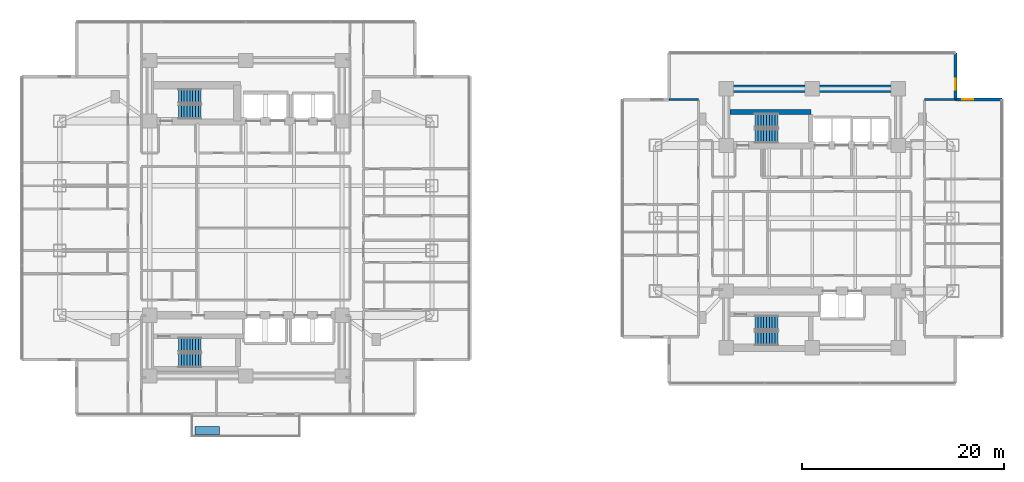
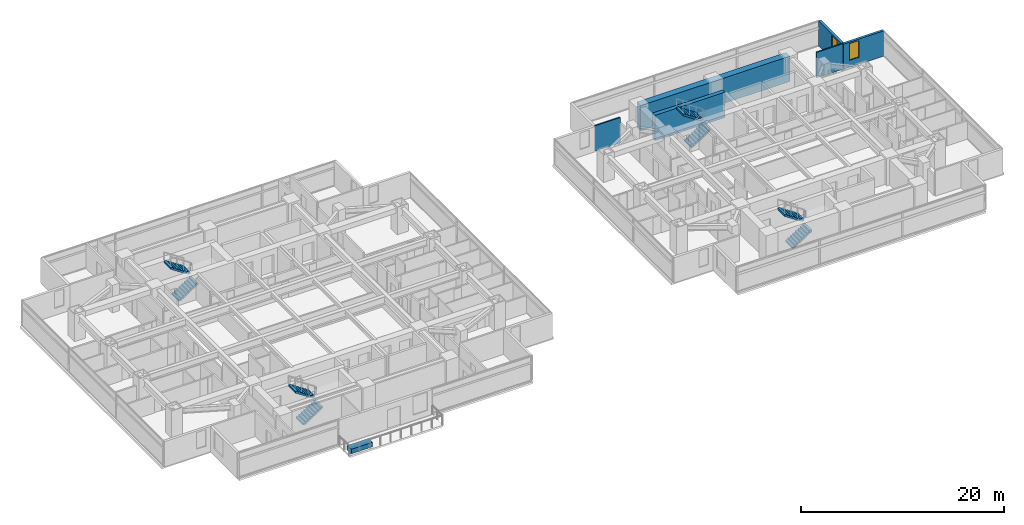
# One storey, part 19 of 25: 8 stair flights, 6 walls, 2 windows, 1 discrete accessory, 2 openings, 4 elements without a shape of their own.
"""IFC4 building model written with IfcOpenShell, lengths in metres."""

from ifc_helpers import new_model, si_unit, direction, frame, frame_2d, origin, origin_2d, place, context, subcontext, project, spatial, polyline, rectangle, outline, extrude, material, layer, layer_set, type_object, element, fill, aggregate, save


model = new_model("IFC4")

# Units and contexts
model_context = context("Model", 3, precision=1e-05, world=origin(), true_north=direction((0.0, 1.0)))
body_context = subcontext(model_context, "Body", "Model", "MODEL_VIEW")
ifc_project = project(units=[si_unit("LENGTHUNIT", "METRE"), si_unit("AREAUNIT", "SQUARE_METRE"), si_unit("VOLUMEUNIT", "CUBIC_METRE"), si_unit("PLANEANGLEUNIT", "RADIAN"), si_unit("MASSUNIT", "GRAM", prefix="KILO")], contexts=[model_context])

# Site, building, storey
site_placement = place(None, origin())
site = spatial("IfcSite", under=ifc_project, at=site_placement, CompositionType="ELEMENT")
building_placement = place(site_placement, origin())
building = spatial("IfcBuilding", under=site, at=building_placement, Name="Mirazonda Arch Towers", CompositionType="ELEMENT")
storey_placement = place(building_placement, frame((0.0, 0.0, 35.60009765625)))
storey = spatial("IfcBuildingStorey", under=building, at=storey_placement, Name="L09", CompositionType="ELEMENT", Elevation=35.60009765625)

# Walls
ifc_material_1 = material(Name="Concrete C50/60", Category="concrete")
ifc_layer_1 = layer(ifc_material_1, 0.449951171875, Name="WALL-CORE-450")
ifc_layer_set_1 = layer_set([ifc_layer_1], Name="Concrete C50/60")
wall_type_1 = type_object("IfcWallType", Name="WALL-CORE-450", PredefinedType="SHEAR", material=ifc_layer_set_1)
wall_1_placement = place(storey_placement, frame((68.3701171875, 38.5, 0.0), z_axis=(0.0, 0.0, 1.0), x_axis=(1.0, 0.0, 0.0)))
element("IfcWall", 1, at=wall_1_placement, inside=storey, type_object=wall_type_1, Name="L09 Stair Core Shear Wall 056", PredefinedType="SHEAR", context=body_context, shape_type="SweptSolid", body=[
    extrude(rectangle(XDim=7.989990234375, YDim=0.449951171875, at=frame_2d((3.9951171875, 0.0))), origin(), (0.0, 0.0, 1.0), 3.059814453125),
])
ifc_material_2 = material(Name="Concrete C60/75", Category="concrete")
ifc_layer_2 = layer(ifc_material_2, 0.75, Name="WALL-CORE-750")
ifc_layer_set_2 = layer_set([ifc_layer_2], Name="Concrete C60/75")
wall_type_2 = type_object("IfcWallType", Name="WALL-CORE-750", PredefinedType="SHEAR", material=ifc_layer_set_2)
wall_2_placement = place(storey_placement, frame((68.0, 40.800048828125, 0.0), z_axis=(0.0, 0.0, 1.0), x_axis=(1.0, 0.0, 0.0)))
element("IfcWall", 2, at=wall_2_placement, inside=storey, type_object=wall_type_2, Name="L09 T2N-N Core Shear Wall", PredefinedType="SHEAR", context=body_context, shape_type="SweptSolid", body=[
    extrude(rectangle(XDim=17.0, YDim=0.75, at=frame_2d((8.5, 0.0))), origin(), (0.0, 0.0, 1.0), 3.059814453125),
])

# Wall, opening, window
ifc_material_3 = material(Name="Precast Concrete C40/50", Category="concrete")
ifc_layer_3 = layer(ifc_material_3, 0.280029296875, Name="WALL-EXT-WALL-280")
ifc_layer_set_3 = layer_set([ifc_layer_3], Name="Precast Concrete C40/50")
wall_type_3 = type_object("IfcWallType", Name="WALL-EXT-WALL-280", PredefinedType="SOLIDWALL", material=ifc_layer_set_3)
wall_3_placement = place(storey_placement, frame((90.652099609375, 39.733154296875, 0.0), z_axis=(0.0, 0.0, 1.0), x_axis=(0.0, 1.0, 0.0)))
wall_3 = element("IfcWall", 3, at=wall_3_placement, inside=storey, type_object=wall_type_3, Name="L09 T2 Notched NE Corner Wall WL-L09-T2-CNE", PredefinedType="SOLIDWALL", context=body_context, shape_type="SweptSolid", body=[
    extrude(rectangle(XDim=4.580078125, YDim=0.280029296875, at=frame_2d((2.2900390625, 0.0))), origin(), (0.0, 0.0, 1.0), 3.039794921875),
])
opening_1_placement = place(wall_3_placement, frame((0.949951171875, 0.0, 0.85009765625)))
opening_1 = element("IfcOpeningElement", 4, at=opening_1_placement, cuts=wall_3, Name="Opening WN-108", PredefinedType="OPENING", context=body_context, shape_type="SweptSolid", body=[
    extrude(rectangle(XDim=1.10009765625, YDim=2.0, at=frame_2d((0.550048828125, 1.0))), frame((0.0, 0.14990234375, 0.0), z_axis=(0.0, -1.0, 0.0), x_axis=(1.0, 0.0, 0.0)), (0.0, 0.0, 1.0), 0.300048828125),
])
ifc_material_4 = material(Name="Insulated Low-E Solar Glass", Category="glass")
window_type = type_object("IfcWindowType", Name="WIN-NOTCH-1100x2000", PartitioningType="SINGLE_PANEL", PredefinedType="WINDOW", material=ifc_material_4)
window_1_placement = place(opening_1_placement, origin())
window_1 = element("IfcWindow", 5, at=window_1_placement, inside=storey, type_object=window_type, Name="L09 Punched Facade Window WN-L09-T2-CNE", OverallHeight=2.0, OverallWidth=1.10009765625, PartitioningType="SINGLE_PANEL", PredefinedType="WINDOW", context=body_context, shape_type="SweptSolid", body=[
    extrude(rectangle(XDim=1.10009765625, YDim=2.0, at=frame_2d((0.550048828125, 1.0))), frame((0.0, 0.030029296875, 0.0), z_axis=(0.0, -1.0, 0.0), x_axis=(1.0, 0.0, 0.0)), (0.0, 0.0, 1.0), 0.06005859375),
])
fill(opening_1, window_1)

wall_4_placement = place(storey_placement, frame((95.23193359375, 39.733154296875, 0.0), z_axis=(0.0, 0.0, 1.0), x_axis=(-1.0, 0.0, 0.0)))
wall_4 = element("IfcWall", 6, at=wall_4_placement, inside=storey, type_object=wall_type_3, Name="L09 T2 Corner Notch Return Wall WL-L09-T2-CNE2", PredefinedType="SOLIDWALL", context=body_context, shape_type="SweptSolid", body=[
    extrude(rectangle(XDim=4.579833984375, YDim=0.280029296875, at=frame_2d((2.2900390625, 0.0))), origin(), (0.0, 0.0, 1.0), 3.039794921875),
])
opening_2_placement = place(wall_4_placement, frame((2.830078125, 0.0, 0.85009765625)))
opening_2 = element("IfcOpeningElement", 7, at=opening_2_placement, cuts=wall_4, Name="Opening WN-108", PredefinedType="OPENING", context=body_context, shape_type="SweptSolid", body=[
    extrude(rectangle(XDim=1.10009765625, YDim=2.0, at=frame_2d((0.550048828125, 1.0))), frame((0.0, 0.14990234375, 0.0), z_axis=(0.0, -1.0, 0.0), x_axis=(1.0, 0.0, 0.0)), (0.0, 0.0, 1.0), 0.300048828125),
])
window_2_placement = place(opening_2_placement, origin())
window_2 = element("IfcWindow", 8, at=window_2_placement, inside=storey, type_object=window_type, Name="L09 Punched Facade Window WN-L09-T2-CNE2", OverallHeight=2.0, OverallWidth=1.10009765625, PartitioningType="SINGLE_PANEL", PredefinedType="WINDOW", context=body_context, shape_type="SweptSolid", body=[
    extrude(rectangle(XDim=1.10009765625, YDim=2.0, at=frame_2d((0.550048828125, 1.0))), frame((0.0, 0.030029296875, 0.0), z_axis=(0.0, -1.0, 0.0), x_axis=(1.0, 0.0, 0.0)), (0.0, 0.0, 1.0), 0.06005859375),
])
fill(opening_2, window_2)

# Walls
ifc_material_5 = material(Name="Fire-Rated Gypsum Stud Partition")
ifc_layer_4 = layer(ifc_material_5, 0.14990234375, Name="WALL-PART-CORR-150")
ifc_layer_set_4 = layer_set([ifc_layer_4], Name="Fire-Rated Gypsum Stud Partition")
wall_type_4 = type_object("IfcWallType", Name="WALL-PART-CORR-150", PredefinedType="PARTITIONING", material=ifc_layer_set_4)
wall_5_placement = place(storey_placement, frame((62.367919921875, 39.73291015625, 0.0), z_axis=(0.0, 0.0, 1.0), x_axis=(1.0, 0.0, 0.0)))
element("IfcWall", 9, at=wall_5_placement, inside=storey, type_object=wall_type_4, Name="L09 Interior Partition 057", PredefinedType="PARTITIONING", context=body_context, shape_type="SweptSolid", body=[
    extrude(rectangle(XDim=2.882080078125, YDim=0.14990234375, at=frame_2d((1.44091796875, 0.0))), origin(), (0.0, 0.0, 1.0), 3.059814453125),
])
wall_6_placement = place(storey_placement, frame((87.60009765625, 39.73291015625, 0.0), z_axis=(0.0, 0.0, 1.0), x_axis=(1.0, 0.0, 0.0)))
element("IfcWall", 10, at=wall_6_placement, inside=storey, type_object=wall_type_4, Name="L09 Interior Partition 058", PredefinedType="PARTITIONING", context=body_context, shape_type="SweptSolid", body=[
    extrude(rectangle(XDim=3.031982421875, YDim=0.14990234375, at=frame_2d((1.51611328125, 0.0))), origin(), (0.0, 0.0, 1.0), 3.059814453125),
])

# Stair, stair flights
ifc_material_6 = material(Name="Concrete C40/50", Category="concrete")
stair_type = type_object("IfcStairType", Name="STAIR-CORE-1400", PredefinedType="HALF_TURN_STAIR", material=ifc_material_6)
stair_1_placement = place(storey_placement, origin())
stair_1 = element("IfcStair", 11, at=stair_1_placement, inside=storey, type_object=stair_type, Name="L09 Protected Exit Stair ST-T1N", PredefinedType="HALF_TURN_STAIR")
stair_flight_type = type_object("IfcStairFlightType", Name="FLIGHT-1400", PredefinedType="STRAIGHT", material=ifc_material_6)
stair_flight_1_placement = place(storey_placement, frame((13.85009765625, 38.52001953125, 0.0), z_axis=(0.0, 0.0, 1.0), x_axis=(1.0, 0.0, 0.0)))
stair_flight_1 = element("IfcStairFlight", 12, at=stair_flight_1_placement, type_object=stair_flight_type, Name="ST-T1N flight 1", NumberOfRisers=9, NumberOfTreads=8, PredefinedType="STRAIGHT", RiserHeight=0.183333333, TreadLength=0.28, context=body_context, shape_type="SweptSolid", body=[
    extrude(outline(polyline([(0.0, 0.0), (0.0, 0.183349609375), (0.280029296875, 0.183349609375), (0.280029296875, 0.36669921875), (0.56005859375, 0.36669921875), (0.56005859375, 0.550048828125), (0.840087890625, 0.550048828125), (0.840087890625, 0.7333984375), (1.1201171875, 0.7333984375), (1.1201171875, 0.916748046875), (1.39990234375, 0.916748046875), (1.39990234375, 1.10009765625), (1.679931640625, 1.10009765625), (1.679931640625, 1.283447265625), (1.9599609375, 1.283447265625), (1.9599609375, 1.466552734375), (2.239990234375, 1.466552734375), (2.239990234375, 1.64990234375), (2.239990234375, 1.275634765625), (0.2919921875, 0.0), (0.0, 0.0)])), frame((0.0, 0.699951171875, 0.0), z_axis=(0.0, -1.0, 0.0), x_axis=(1.0, 0.0, 0.0)), (0.0, 0.0, 1.0), 1.39990234375),
])
stair_flight_2_placement = place(storey_placement, frame((16.090087890625, 40.06005859375, 1.64990234375), z_axis=(0.0, 0.0, 1.0), x_axis=(-1.0, 0.0, 0.0)))
stair_flight_2 = element("IfcStairFlight", 13, at=stair_flight_2_placement, type_object=stair_flight_type, Name="ST-T1N flight 2", NumberOfRisers=9, NumberOfTreads=8, PredefinedType="STRAIGHT", RiserHeight=0.183333333, TreadLength=0.28, context=body_context, shape_type="SweptSolid", body=[
    extrude(outline(polyline([(0.0, 0.0), (0.0, 0.183349609375), (0.280029296875, 0.183349609375), (0.280029296875, 0.36669921875), (0.56005859375, 0.36669921875), (0.56005859375, 0.550048828125), (0.840087890625, 0.550048828125), (0.840087890625, 0.7333984375), (1.1201171875, 0.7333984375), (1.1201171875, 0.916748046875), (1.39990234375, 0.916748046875), (1.39990234375, 1.10009765625), (1.679931640625, 1.10009765625), (1.679931640625, 1.283447265625), (1.9599609375, 1.283447265625), (1.9599609375, 1.466552734375), (2.239990234375, 1.466552734375), (2.239990234375, 1.64990234375), (2.239990234375, 1.275634765625), (0.2919921875, 0.0), (0.0, 0.0)])), frame((0.0, 0.699951171875, 0.0), z_axis=(0.0, -1.0, 0.0), x_axis=(1.0, 0.0, 0.0)), (0.0, 0.0, 1.0), 1.39990234375),
])
aggregate(stair_1, [stair_flight_1, stair_flight_2])

stair_2_placement = place(storey_placement, origin())
stair_2 = element("IfcStair", 14, at=stair_2_placement, inside=storey, type_object=stair_type, Name="L09 Protected Exit Stair ST-T1S", PredefinedType="HALF_TURN_STAIR")
stair_flight_3_placement = place(storey_placement, frame((13.85009765625, 13.949951171875, 0.0), z_axis=(0.0, 0.0, 1.0), x_axis=(1.0, 0.0, 0.0)))
stair_flight_3 = element("IfcStairFlight", 15, at=stair_flight_3_placement, type_object=stair_flight_type, Name="ST-T1S flight 1", NumberOfRisers=9, NumberOfTreads=8, PredefinedType="STRAIGHT", RiserHeight=0.183333333, TreadLength=0.28, context=body_context, shape_type="SweptSolid", body=[
    extrude(outline(polyline([(0.0, 0.0), (0.0, 0.183349609375), (0.280029296875, 0.183349609375), (0.280029296875, 0.36669921875), (0.56005859375, 0.36669921875), (0.56005859375, 0.550048828125), (0.840087890625, 0.550048828125), (0.840087890625, 0.7333984375), (1.1201171875, 0.7333984375), (1.1201171875, 0.916748046875), (1.39990234375, 0.916748046875), (1.39990234375, 1.10009765625), (1.679931640625, 1.10009765625), (1.679931640625, 1.283447265625), (1.9599609375, 1.283447265625), (1.9599609375, 1.466552734375), (2.239990234375, 1.466552734375), (2.239990234375, 1.64990234375), (2.239990234375, 1.275634765625), (0.2919921875, 0.0), (0.0, 0.0)])), frame((0.0, 0.699951171875, 0.0), z_axis=(0.0, -1.0, 0.0), x_axis=(1.0, 0.0, 0.0)), (0.0, 0.0, 1.0), 1.39990234375),
])
stair_flight_4_placement = place(storey_placement, frame((16.090087890625, 15.489990234375, 1.64990234375), z_axis=(0.0, 0.0, 1.0), x_axis=(-1.0, 0.0, 0.0)))
stair_flight_4 = element("IfcStairFlight", 16, at=stair_flight_4_placement, type_object=stair_flight_type, Name="ST-T1S flight 2", NumberOfRisers=9, NumberOfTreads=8, PredefinedType="STRAIGHT", RiserHeight=0.183333333, TreadLength=0.28, context=body_context, shape_type="SweptSolid", body=[
    extrude(outline(polyline([(0.0, 0.0), (0.0, 0.183349609375), (0.280029296875, 0.183349609375), (0.280029296875, 0.36669921875), (0.56005859375, 0.36669921875), (0.56005859375, 0.550048828125), (0.840087890625, 0.550048828125), (0.840087890625, 0.7333984375), (1.1201171875, 0.7333984375), (1.1201171875, 0.916748046875), (1.39990234375, 0.916748046875), (1.39990234375, 1.10009765625), (1.679931640625, 1.10009765625), (1.679931640625, 1.283447265625), (1.9599609375, 1.283447265625), (1.9599609375, 1.466552734375), (2.239990234375, 1.466552734375), (2.239990234375, 1.64990234375), (2.239990234375, 1.275634765625), (0.2919921875, 0.0), (0.0, 0.0)])), frame((0.0, 0.699951171875, 0.0), z_axis=(0.0, -1.0, 0.0), x_axis=(1.0, 0.0, 0.0)), (0.0, 0.0, 1.0), 1.39990234375),
])
aggregate(stair_2, [stair_flight_3, stair_flight_4])

stair_3_placement = place(storey_placement, origin())
stair_3 = element("IfcStair", 17, at=stair_3_placement, inside=storey, type_object=stair_type, Name="L09 Protected Exit Stair ST-T2N", PredefinedType="HALF_TURN_STAIR")
stair_flight_5_placement = place(storey_placement, frame((70.85009765625, 36.1201171875, 0.0), z_axis=(0.0, 0.0, 1.0), x_axis=(1.0, 0.0, 0.0)))
stair_flight_5 = element("IfcStairFlight", 18, at=stair_flight_5_placement, type_object=stair_flight_type, Name="ST-T2N flight 1", NumberOfRisers=9, NumberOfTreads=8, PredefinedType="STRAIGHT", RiserHeight=0.183333333, TreadLength=0.28, context=body_context, shape_type="SweptSolid", body=[
    extrude(outline(polyline([(0.0, 0.0), (0.0, 0.183349609375), (0.280029296875, 0.183349609375), (0.280029296875, 0.36669921875), (0.56005859375, 0.36669921875), (0.56005859375, 0.550048828125), (0.840087890625, 0.550048828125), (0.840087890625, 0.7333984375), (1.1201171875, 0.7333984375), (1.1201171875, 0.916748046875), (1.39990234375, 0.916748046875), (1.39990234375, 1.10009765625), (1.679931640625, 1.10009765625), (1.679931640625, 1.283447265625), (1.9599609375, 1.283447265625), (1.9599609375, 1.466552734375), (2.239990234375, 1.466552734375), (2.239990234375, 1.64990234375), (2.239990234375, 1.275634765625), (0.2919921875, 0.0), (0.0, 0.0)])), frame((0.0, 0.699951171875, 0.0), z_axis=(0.0, -1.0, 0.0), x_axis=(1.0, 0.0, 0.0)), (0.0, 0.0, 1.0), 1.39990234375),
])
stair_flight_6_placement = place(storey_placement, frame((73.090087890625, 37.659912109375, 1.64990234375), z_axis=(0.0, 0.0, 1.0), x_axis=(-1.0, 0.0, 0.0)))
stair_flight_6 = element("IfcStairFlight", 19, at=stair_flight_6_placement, type_object=stair_flight_type, Name="ST-T2N flight 2", NumberOfRisers=9, NumberOfTreads=8, PredefinedType="STRAIGHT", RiserHeight=0.183333333, TreadLength=0.28, context=body_context, shape_type="SweptSolid", body=[
    extrude(outline(polyline([(0.0, 0.0), (0.0, 0.183349609375), (0.280029296875, 0.183349609375), (0.280029296875, 0.36669921875), (0.56005859375, 0.36669921875), (0.56005859375, 0.550048828125), (0.840087890625, 0.550048828125), (0.840087890625, 0.7333984375), (1.1201171875, 0.7333984375), (1.1201171875, 0.916748046875), (1.39990234375, 0.916748046875), (1.39990234375, 1.10009765625), (1.679931640625, 1.10009765625), (1.679931640625, 1.283447265625), (1.9599609375, 1.283447265625), (1.9599609375, 1.466552734375), (2.239990234375, 1.466552734375), (2.239990234375, 1.64990234375), (2.239990234375, 1.275634765625), (0.2919921875, 0.0), (0.0, 0.0)])), frame((0.0, 0.699951171875, 0.0), z_axis=(0.0, -1.0, 0.0), x_axis=(1.0, 0.0, 0.0)), (0.0, 0.0, 1.0), 1.39990234375),
])
aggregate(stair_3, [stair_flight_5, stair_flight_6])

stair_4_placement = place(storey_placement, origin())
stair_4 = element("IfcStair", 20, at=stair_4_placement, inside=storey, type_object=stair_type, Name="L09 Protected Exit Stair ST-T2S", PredefinedType="HALF_TURN_STAIR")
stair_flight_7_placement = place(storey_placement, frame((70.85009765625, 16.1201171875, 0.0), z_axis=(0.0, 0.0, 1.0), x_axis=(1.0, 0.0, 0.0)))
stair_flight_7 = element("IfcStairFlight", 21, at=stair_flight_7_placement, type_object=stair_flight_type, Name="ST-T2S flight 1", NumberOfRisers=9, NumberOfTreads=8, PredefinedType="STRAIGHT", RiserHeight=0.183333333, TreadLength=0.28, context=body_context, shape_type="SweptSolid", body=[
    extrude(outline(polyline([(0.0, 0.0), (0.0, 0.183349609375), (0.280029296875, 0.183349609375), (0.280029296875, 0.36669921875), (0.56005859375, 0.36669921875), (0.56005859375, 0.550048828125), (0.840087890625, 0.550048828125), (0.840087890625, 0.7333984375), (1.1201171875, 0.7333984375), (1.1201171875, 0.916748046875), (1.39990234375, 0.916748046875), (1.39990234375, 1.10009765625), (1.679931640625, 1.10009765625), (1.679931640625, 1.283447265625), (1.9599609375, 1.283447265625), (1.9599609375, 1.466552734375), (2.239990234375, 1.466552734375), (2.239990234375, 1.64990234375), (2.239990234375, 1.275634765625), (0.2919921875, 0.0), (0.0, 0.0)])), frame((0.0, 0.699951171875, 0.0), z_axis=(0.0, -1.0, 0.0), x_axis=(1.0, 0.0, 0.0)), (0.0, 0.0, 1.0), 1.39990234375),
])
stair_flight_8_placement = place(storey_placement, frame((73.090087890625, 17.659912109375, 1.64990234375), z_axis=(0.0, 0.0, 1.0), x_axis=(-1.0, 0.0, 0.0)))
stair_flight_8 = element("IfcStairFlight", 22, at=stair_flight_8_placement, type_object=stair_flight_type, Name="ST-T2S flight 2", NumberOfRisers=9, NumberOfTreads=8, PredefinedType="STRAIGHT", RiserHeight=0.183333333, TreadLength=0.28, context=body_context, shape_type="SweptSolid", body=[
    extrude(outline(polyline([(0.0, 0.0), (0.0, 0.183349609375), (0.280029296875, 0.183349609375), (0.280029296875, 0.36669921875), (0.56005859375, 0.36669921875), (0.56005859375, 0.550048828125), (0.840087890625, 0.550048828125), (0.840087890625, 0.7333984375), (1.1201171875, 0.7333984375), (1.1201171875, 0.916748046875), (1.39990234375, 0.916748046875), (1.39990234375, 1.10009765625), (1.679931640625, 1.10009765625), (1.679931640625, 1.283447265625), (1.9599609375, 1.283447265625), (1.9599609375, 1.466552734375), (2.239990234375, 1.466552734375), (2.239990234375, 1.64990234375), (2.239990234375, 1.275634765625), (0.2919921875, 0.0), (0.0, 0.0)])), frame((0.0, 0.699951171875, 0.0), z_axis=(0.0, -1.0, 0.0), x_axis=(1.0, 0.0, 0.0)), (0.0, 0.0, 1.0), 1.39990234375),
])
aggregate(stair_4, [stair_flight_7, stair_flight_8])

# Discrete accessory
ifc_material_7 = material(Name="Kiln-Fired Architectural Terracotta", Category="masonry")
discrete_accessory_type = type_object("IfcDiscreteAccessoryType", Name="PLANTER-TERRA", PredefinedType="USERDEFINED", material=ifc_material_7)
discrete_accessory_placement = place(storey_placement, frame((16.699951171875, 7.008056640625, 0.0), z_axis=(0.0, 0.0, 1.0), x_axis=(1.0, 0.0, 0.0)))
element("IfcDiscreteAccessory", 23, at=discrete_accessory_placement, inside=storey, type_object=discrete_accessory_type, Name="L09 T1 Sky-Terrace Planter", ObjectType="PLANTER", PredefinedType="USERDEFINED", context=body_context, shape_type="SweptSolid", body=[
    extrude(rectangle(XDim=2.39990234375, YDim=0.800048828125, at=origin_2d()), origin(), (0.0, 0.0, 1.0), 0.550048828125),
])

save(model, "model.ifc")
